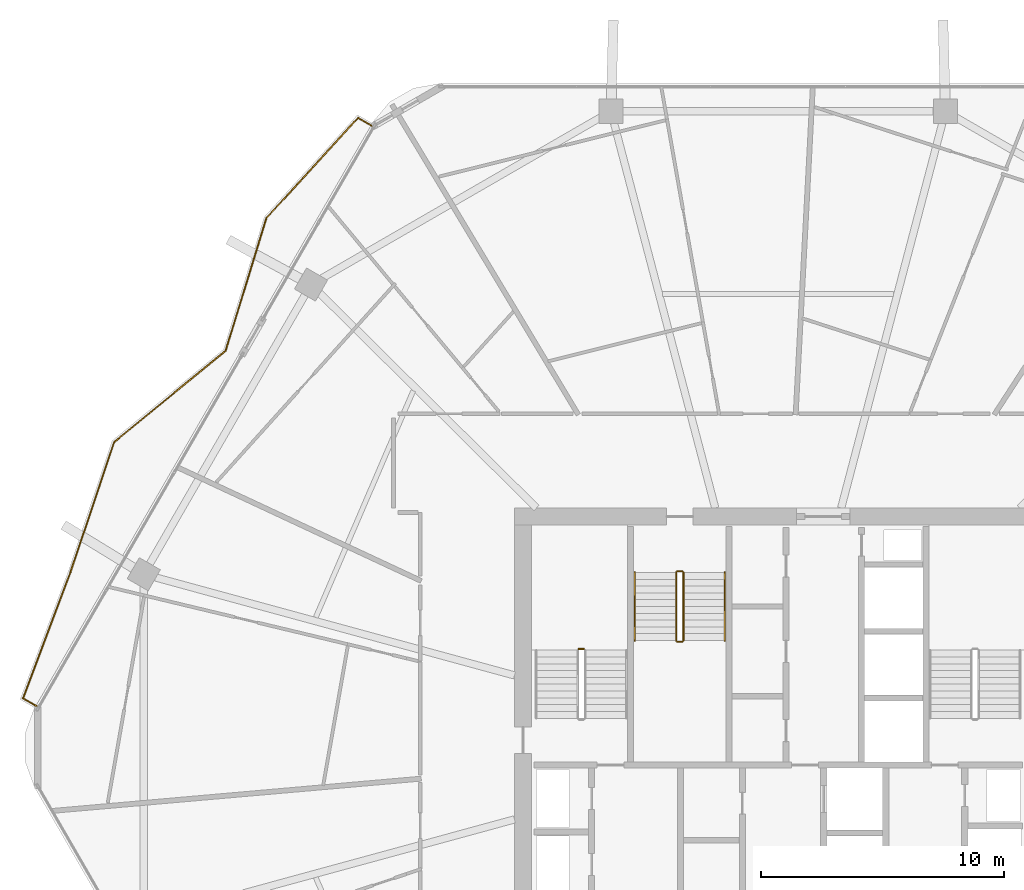
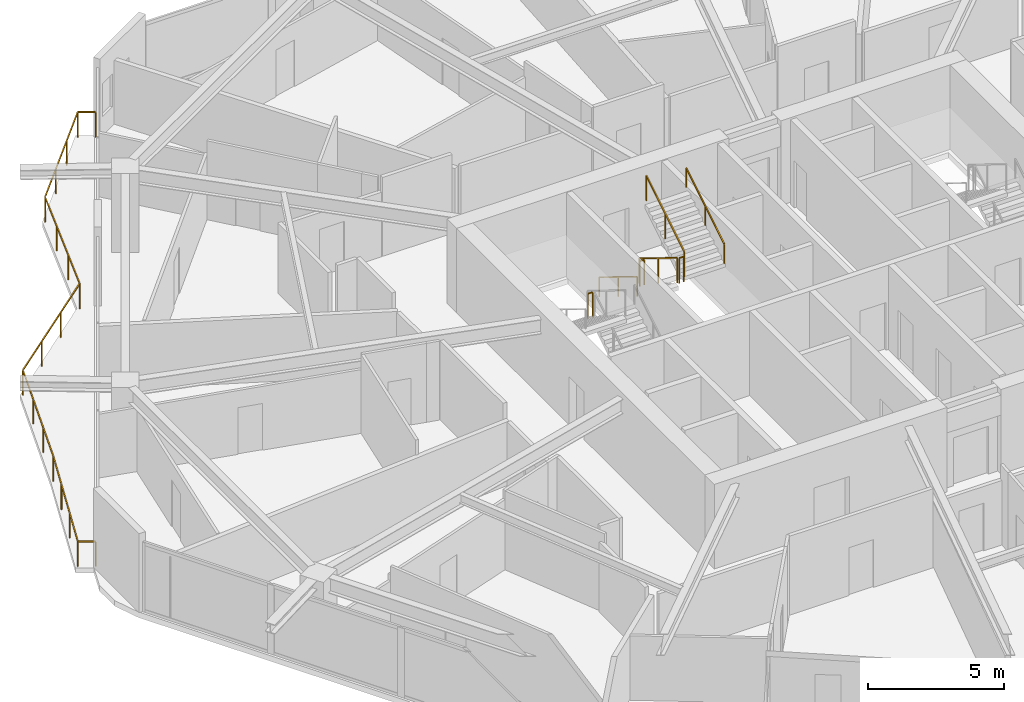
# One storey, part 25 of 26: 8 railings.
"""IFC4 building model written with IfcOpenShell, lengths in metres."""

import ifcopenshell
import ifcopenshell.guid

model = None  # the IFC model being written
_history = None  # IfcOwnerHistory: only IFC2X3 demands one
_inside = {}  # id of a spatial element -> (the spatial element, [elements in it])
_under = {}  # id of a project, library or spatial element -> (it, [spatial elements below it])
_declared = {}  # id of a project -> (the project, [libraries it declares])
_typed = {}  # id of a type object -> (the type object, [elements of that type])
_made_of = {}  # id of a material, layer set ... -> (it, [elements and type objects made of it])


def new_model(schema):
    """Start an empty IFC model of exactly this schema.

    Asked for "IFC4X3", IfcOpenShell would pick the latest addendum, in which some entities
    have other attributes; the version numbers below select the first issue.
    IFC2X3 requires an IfcOwnerHistory on every rooted entity: one is made here for all.
    """
    global model, _history
    if schema == "IFC4X3":
        model = ifcopenshell.file(schema_version=(4, 3, 0, 0))
    else:
        model = ifcopenshell.file(schema=schema)
    _inside.clear()
    _under.clear()
    _declared.clear()
    _typed.clear()
    _made_of.clear()
    _history = None
    if model.schema == "IFC2X3":
        org = make("IfcOrganization", Name="unknown")
        user = make(
            "IfcPersonAndOrganization",
            ThePerson=make("IfcPerson", FamilyName="unknown"),
            TheOrganization=org,
        )
        app = make(
            "IfcApplication",
            ApplicationDeveloper=org,
            Version="unknown",
            ApplicationFullName="unknown",
            ApplicationIdentifier="unknown",
        )
        _history = make(
            "IfcOwnerHistory",
            OwningUser=user,
            OwningApplication=app,
            ChangeAction="ADDED",
            CreationDate=0,
        )
    return model


def make(cls, **values):
    """One entity of the class cls with the attributes given. An attribute that is None is left unset."""
    return model.create_entity(
        cls, **{name: value for name, value in values.items() if value is not None}
    )


def rooted(cls, **values):
    """An entity with a GlobalId (a new one), such as an element, a storey or a relation."""
    return make(cls, GlobalId=ifcopenshell.guid.new(), OwnerHistory=_history, **values)


def si_unit(unit_type, name, prefix=None):
    """IfcSIUnit, for example si_unit("LENGTHUNIT", "METRE", prefix="MILLI")."""
    return make("IfcSIUnit", UnitType=unit_type, Prefix=prefix, Name=name)


def assignment(units):
    """IfcUnitAssignment: the units of a project."""
    return None if units is None else make("IfcUnitAssignment", Units=units)


def point(xyz):
    """IfcCartesianPoint."""
    return None if xyz is None else make("IfcCartesianPoint", Coordinates=xyz)


def direction(xyz):
    """IfcDirection."""
    return None if xyz is None else make("IfcDirection", DirectionRatios=xyz)


def frame(location, z_axis=None, x_axis=None):
    """IfcAxis2Placement3D, a coordinate frame: its origin and axes. An axis left out is left unset."""
    return make(
        "IfcAxis2Placement3D",
        Location=point(location),
        Axis=direction(z_axis),
        RefDirection=direction(x_axis),
    )


def frame_2d(location, x_axis=None):
    """IfcAxis2Placement2D, a coordinate frame in the plane: its origin and x axis."""
    return make(
        "IfcAxis2Placement2D", Location=point(location), RefDirection=direction(x_axis)
    )


def origin():
    """The frame at (0, 0, 0) with its axes left unset."""
    return frame((0.0, 0.0, 0.0))


def origin_2d():
    """The frame at (0, 0) in the plane with its x axis left unset."""
    return frame_2d((0.0, 0.0))


def place(relative_to, where):
    """IfcLocalPlacement: puts the frame where relative to a parent placement (None: the world)."""
    return make(
        "IfcLocalPlacement", PlacementRelTo=relative_to, RelativePlacement=where
    )


def context(
    kind, dimensions, precision=None, world=None, true_north=None, identifier=None
):
    """IfcGeometricRepresentationContext, for example the 3D "Model" context."""
    return make(
        "IfcGeometricRepresentationContext",
        ContextIdentifier=identifier,
        ContextType=kind,
        CoordinateSpaceDimension=dimensions,
        Precision=precision,
        WorldCoordinateSystem=world,
        TrueNorth=true_north,
    )


def subcontext(parent, identifier, kind, view, scale=None):
    """IfcGeometricRepresentationSubContext, for example "Body" below "Model"."""
    return make(
        "IfcGeometricRepresentationSubContext",
        ContextIdentifier=identifier,
        ContextType=kind,
        ParentContext=parent,
        TargetScale=scale,
        TargetView=view,
    )


def project(units=None, contexts=None):
    """IfcProject with its units and contexts."""
    return rooted(
        "IfcProject",
        Name="project",
        RepresentationContexts=contexts,
        UnitsInContext=assignment(units),
    )


def spatial(cls, under=None, at=None, **own):
    """A site, building, storey or space (cls), placed at a placement, below another one or the project."""
    s = rooted(cls, ObjectPlacement=at, **own)
    if under is not None:
        _under.setdefault(under.id(), (under, []))[1].append(s)
    return s


def profile(cls, at=None, kind="AREA", **sizes):
    """A parametric profile (cls). Its sizes go by their IFC names, for example OverallWidth=200.0."""
    return make(cls, ProfileType=kind, Position=at, **sizes)


def rectangle(**sizes):
    """IfcRectangleProfileDef."""
    return profile("IfcRectangleProfileDef", **sizes)


def extrude(swept, where, along, depth):
    """IfcExtrudedAreaSolid: the profile swept, set in the frame where, extruded along a direction by depth."""
    return make(
        "IfcExtrudedAreaSolid",
        SweptArea=swept,
        Position=where,
        ExtrudedDirection=direction(along),
        Depth=depth,
    )


def shape(context_of_items, identifier, shape_type, items):
    """IfcShapeRepresentation: the items that make up one representation, for example the "Body"."""
    return make(
        "IfcShapeRepresentation",
        ContextOfItems=context_of_items,
        RepresentationIdentifier=identifier,
        RepresentationType=shape_type,
        Items=items,
    )


def material(Name=None, Category=None):
    """IfcMaterial."""
    return make("IfcMaterial", Name=Name, Category=Category)


def made_of(thing, what):
    """Note that an element or type object is made of a material, layer set ...; save() writes the relation."""
    if what is not None:
        _made_of.setdefault(what.id(), (what, []))[1].append(thing)
    return thing


def type_object(cls, material=None, **own):
    """A type object (cls), such as IfcWallType, which elements share."""
    return made_of(rooted(cls, **own), material)


def element(
    cls,
    number,
    at=None,
    inside=None,
    cuts=None,
    type_object=None,
    material=None,
    context=None,
    identifier="Body",
    shape_type=None,
    held_by="IfcProductDefinitionShape",
    body=None,
    shapes=None,
    **own,
):
    """One element of the class cls, such as IfcWall. Its Tag is "e" and its number.

    at: its placement. inside: the storey or other place that contains it. cuts: it is an
    opening in that element (IfcRelVoidsElement). A single representation is given by context,
    identifier, shape_type and body (its items); several are given by shapes. held_by: the class
    of the entity that holds the representations. save() writes the other relations.
    """
    e = rooted(cls, Tag="e%d" % number, ObjectPlacement=at, **own)
    if body is not None:
        shapes = [shape(context, identifier, shape_type, body)]
    if shapes is not None:
        e.Representation = make(held_by, Representations=shapes)
    if inside is not None:
        _inside.setdefault(inside.id(), (inside, []))[1].append(e)
    if cuts is not None:
        rooted(
            "IfcRelVoidsElement", RelatingBuildingElement=cuts, RelatedOpeningElement=e
        )
    if type_object is not None:
        _typed.setdefault(type_object.id(), (type_object, []))[1].append(e)
    return made_of(e, material)


def aggregate(whole, parts):
    """IfcRelAggregates: a whole, such as a stair, and the parts it consists of."""
    return rooted("IfcRelAggregates", RelatingObject=whole, RelatedObjects=parts)


def save(model, path):
    """Write the relations noted so far, then the file.

    IfcRelAggregates (storeys below a building ...), IfcRelContainedInSpatialStructure (elements
    in a storey), IfcRelDefinesByType, IfcRelAssociatesMaterial and IfcRelDeclares: one each for
    every whole, place, type object, material and project.
    """
    for whole, parts in _under.values():
        aggregate(whole, parts)
    for where, things in _inside.values():
        rooted(
            "IfcRelContainedInSpatialStructure",
            RelatedElements=things,
            RelatingStructure=where,
        )
    for kind, things in _typed.values():
        rooted("IfcRelDefinesByType", RelatedObjects=things, RelatingType=kind)
    for what, things in _made_of.values():
        rooted("IfcRelAssociatesMaterial", RelatedObjects=things, RelatingMaterial=what)
    for by, libraries in _declared.values():
        rooted("IfcRelDeclares", RelatingContext=by, RelatedDefinitions=libraries)
    model.write(path)


model = new_model("IFC4")

# Units and contexts
model_context = context("Model", 3, precision=1e-05, world=origin(), true_north=direction((0.0, 1.0)))
body_context = subcontext(model_context, "Body", "Model", "MODEL_VIEW")
ifc_project = project(units=[si_unit("LENGTHUNIT", "METRE"), si_unit("AREAUNIT", "SQUARE_METRE"), si_unit("VOLUMEUNIT", "CUBIC_METRE"), si_unit("PLANEANGLEUNIT", "RADIAN"), si_unit("MASSUNIT", "GRAM", prefix="KILO")], contexts=[model_context])

# Site, building, storey
site_placement = place(None, origin())
site = spatial("IfcSite", under=ifc_project, at=site_placement, CompositionType="ELEMENT")
building_placement = place(site_placement, origin())
building = spatial("IfcBuilding", under=site, at=building_placement, Name="Zuhravey Tower", CompositionType="ELEMENT")
storey_placement = place(building_placement, frame((0.0, 0.0, 165.60009765625)))
storey = spatial("IfcBuildingStorey", under=building, at=storey_placement, Name="L41", CompositionType="ELEMENT", Elevation=165.60009765625)

# Railings
ifc_material_1 = material(Name="Stainless steel 316 and laminated glass", Category="steel")
railing_type_1 = type_object("IfcRailingType", Name="Balcony & Terrace Guardrail 1150", PredefinedType="BALUSTRADE", material=ifc_material_1)
railing_1_placement = place(storey_placement, frame((5.489990234375, 33.691650390625, 0.0)))
element("IfcRailing", 1, at=railing_1_placement, inside=storey, type_object=railing_type_1, Name="L41 Face 3 Wave Balcony Guardrail GR1", PredefinedType="BALUSTRADE", context=body_context, shape_type="SweptSolid", body=[
    extrude(rectangle(XDim=0.048095703125, YDim=0.048095703125, at=origin_2d()), frame((-0.001708984375, 0.0009765625, 1.1259765625), z_axis=(-0.865893776595, 0.500227915708, 0.0), x_axis=(-0.500227915708, -0.865893776595, 0.0)), (0.0, 0.0, 1.0), 0.65087890625),
    extrude(rectangle(XDim=0.048095703125, YDim=0.048095703125, at=origin_2d()), frame((-0.56640625, 0.32958984375, 1.1259765625), z_axis=(0.352405938532, 0.935847238863, 0.0), x_axis=(-0.935847238863, 0.352405938532, 0.0)), (0.0, 0.0, 1.0), 5.543701171875),
    extrude(rectangle(XDim=0.048095703125, YDim=0.048095703125, at=origin_2d()), frame((1.388671875, 5.521484375, 1.1259765625), z_axis=(0.318044583369, 0.948075758043, 0.0), x_axis=(-0.948075758043, 0.318044583369, 0.0)), (0.0, 0.0, 1.0), 5.63818359375),
    extrude(rectangle(XDim=0.048095703125, YDim=0.048095703125, at=origin_2d()), frame((3.183837890625, 10.869873046875, 1.1259765625), z_axis=(0.773058894942, 0.634334253333, 0.0), x_axis=(-0.634334253333, 0.773058894942, 0.0)), (0.0, 0.0, 1.0), 5.933837890625),
    extrude(rectangle(XDim=0.048095703125, YDim=0.048095703125, at=origin_2d()), frame((7.773193359375, 14.63720703125, 1.1259765625), z_axis=(0.293800304262, 0.955866821903, 0.0), x_axis=(-0.955866821903, 0.293800304262, 0.0)), (0.0, 0.0, 1.0), 5.703857421875),
    extrude(rectangle(XDim=0.048095703125, YDim=0.048095703125, at=origin_2d()), frame((9.451171875, 20.0927734375, 1.1259765625), z_axis=(0.674712748548, 0.738080420379, 0.0), x_axis=(-0.738080420379, 0.674712748548, 0.0)), (0.0, 0.0, 1.0), 5.58251953125),
    extrude(rectangle(XDim=0.048095703125, YDim=0.048095703125, at=origin_2d()), frame((13.220703125, 24.213623046875, 1.1259765625), z_axis=(0.865932775861, -0.500160401961, 0.0), x_axis=(0.500160401961, 0.865932775861, 0.0)), (0.0, 0.0, 1.0), 0.655517578125),
    extrude(rectangle(XDim=0.0419921875, YDim=0.0419921875, at=origin_2d()), origin(), (0.0, 0.0, 1.0), 1.099853515625),
    extrude(rectangle(XDim=0.0419921875, YDim=0.0419921875, at=origin_2d()), frame((-0.567138671875, 0.32763671875, 0.0)), (0.0, 0.0, 1.0), 1.099853515625),
    extrude(rectangle(XDim=0.0419921875, YDim=0.0419921875, at=origin_2d()), frame((0.08447265625, 2.058349609375, 0.0)), (0.0, 0.0, 1.0), 1.099853515625),
    extrude(rectangle(XDim=0.0419921875, YDim=0.0419921875, at=origin_2d()), frame((0.736328125, 3.788818359375, 0.0)), (0.0, 0.0, 1.0), 1.099853515625),
    extrude(rectangle(XDim=0.0419921875, YDim=0.0419921875, at=origin_2d()), frame((1.387939453125, 5.51953125, 0.0)), (0.0, 0.0, 1.0), 1.099853515625),
    extrude(rectangle(XDim=0.0419921875, YDim=0.0419921875, at=origin_2d()), frame((1.986083984375, 7.302490234375, 0.0)), (0.0, 0.0, 1.0), 1.099853515625),
    extrude(rectangle(XDim=0.0419921875, YDim=0.0419921875, at=origin_2d()), frame((2.584228515625, 9.085693359375, 0.0)), (0.0, 0.0, 1.0), 1.099853515625),
    extrude(rectangle(XDim=0.0419921875, YDim=0.0419921875, at=origin_2d()), frame((3.182373046875, 10.86865234375, 0.0)), (0.0, 0.0, 1.0), 1.099853515625),
    extrude(rectangle(XDim=0.0419921875, YDim=0.0419921875, at=origin_2d()), frame((4.71240234375, 12.124267578125, 0.0)), (0.0, 0.0, 1.0), 1.099853515625),
    extrude(rectangle(XDim=0.0419921875, YDim=0.0419921875, at=origin_2d()), frame((6.24267578125, 13.379638671875, 0.0)), (0.0, 0.0, 1.0), 1.099853515625),
    extrude(rectangle(XDim=0.0419921875, YDim=0.0419921875, at=origin_2d()), frame((7.772705078125, 14.63525390625, 0.0)), (0.0, 0.0, 1.0), 1.099853515625),
    extrude(rectangle(XDim=0.0419921875, YDim=0.0419921875, at=origin_2d()), frame((8.331787109375, 16.453857421875, 0.0)), (0.0, 0.0, 1.0), 1.099853515625),
    extrude(rectangle(XDim=0.0419921875, YDim=0.0419921875, at=origin_2d()), frame((8.890625, 18.272705078125, 0.0)), (0.0, 0.0, 1.0), 1.099853515625),
    extrude(rectangle(XDim=0.0419921875, YDim=0.0419921875, at=origin_2d()), frame((9.44970703125, 20.09130859375, 0.0)), (0.0, 0.0, 1.0), 1.099853515625),
    extrude(rectangle(XDim=0.0419921875, YDim=0.0419921875, at=origin_2d()), frame((10.7060546875, 21.4658203125, 0.0)), (0.0, 0.0, 1.0), 1.099853515625),
    extrude(rectangle(XDim=0.0419921875, YDim=0.0419921875, at=origin_2d()), frame((11.962646484375, 22.840087890625, 0.0)), (0.0, 0.0, 1.0), 1.099853515625),
    extrude(rectangle(XDim=0.0419921875, YDim=0.0419921875, at=origin_2d()), frame((13.218994140625, 24.214599609375, 0.0)), (0.0, 0.0, 1.0), 1.099853515625),
    extrude(rectangle(XDim=0.0419921875, YDim=0.0419921875, at=origin_2d()), frame((13.7900390625, 23.884765625, 0.0)), (0.0, 0.0, 1.0), 1.099853515625),
])
ifc_material_2 = material(Name="Brushed stainless steel", Category="steel")
railing_type_2 = type_object("IfcRailingType", Name="Stair Wall Handrail 900", PredefinedType="HANDRAIL", material=ifc_material_2)
railing_2_placement = place(storey_placement, frame((30.10009765625, 39.199951171875, 0.172607421875)))
element("IfcRailing", 2, at=railing_2_placement, inside=storey, type_object=railing_type_2, Name="L41 ST3 stair handrail 1", PredefinedType="HANDRAIL", context=body_context, shape_type="SweptSolid", body=[
    extrude(rectangle(XDim=0.048095703125, YDim=0.048095703125, at=origin_2d()), frame((0.0, -0.001708984375, 0.876953125), z_axis=(0.0, -0.851089632645, 0.525020415988), x_axis=(1.0, 0.0, 0.0)), (0.0, 0.0, 1.0), 3.285888671875),
    extrude(rectangle(XDim=0.0419921875, YDim=0.0419921875, at=origin_2d()), origin(), (0.0, 0.0, 1.0), 0.849853515625),
    extrude(rectangle(XDim=0.0419921875, YDim=0.0419921875, at=origin_2d()), frame((0.0, -1.39990234375, 0.86376953125)), (0.0, 0.0, 1.0), 0.849853515625),
    extrude(rectangle(XDim=0.0419921875, YDim=0.0419921875, at=origin_2d()), frame((0.0, -2.800048828125, 1.727294921875)), (0.0, 0.0, 1.0), 0.849853515625),
])
railing_3_placement = place(storey_placement, frame((33.800048828125, 36.39990234375, 2.072509765625)))
element("IfcRailing", 3, at=railing_3_placement, inside=storey, type_object=railing_type_2, Name="L41 ST3 stair handrail 2", PredefinedType="HANDRAIL", context=body_context, shape_type="SweptSolid", body=[
    extrude(rectangle(XDim=0.048095703125, YDim=0.048095703125, at=origin_2d()), frame((0.0, 0.001708984375, 0.876953125), z_axis=(0.0, 0.851089632645, 0.525020415988), x_axis=(-1.0, 0.0, 0.0)), (0.0, 0.0, 1.0), 3.285888671875),
    extrude(rectangle(XDim=0.0419921875, YDim=0.0419921875, at=origin_2d()), origin(), (0.0, 0.0, 1.0), 0.849853515625),
    extrude(rectangle(XDim=0.0419921875, YDim=0.0419921875, at=origin_2d()), frame((0.0, 1.39990234375, 0.86376953125)), (0.0, 0.0, 1.0), 0.849853515625),
    extrude(rectangle(XDim=0.0419921875, YDim=0.0419921875, at=origin_2d()), frame((0.0, 2.800048828125, 1.727294921875)), (0.0, 0.0, 1.0), 0.849853515625),
])
ifc_material_3 = material(Name="Painted tubular steel", Category="steel")
railing_type_3 = type_object("IfcRailingType", Name="Stair Well Guardrail 1150", PredefinedType="GUARDRAIL", material=ifc_material_3)
railing_4_placement = place(storey_placement, frame((28.0, 36.050048828125, 1.89990234375)))
element("IfcRailing", 4, at=railing_4_placement, inside=storey, type_object=railing_type_3, Name="L41 ST1 stair guard 2", PredefinedType="GUARDRAIL", context=body_context, shape_type="SweptSolid", body=[
    extrude(rectangle(XDim=0.048095703125, YDim=0.048095703125, at=origin_2d()), frame((-0.001953125, 0.0, 1.1259765625), z_axis=(-1.0, 0.0, 0.0), x_axis=(0.0, -1.0, 0.0)), (0.0, 0.0, 1.0), 0.196044921875),
    extrude(rectangle(XDim=0.0419921875, YDim=0.0419921875, at=origin_2d()), origin(), (0.0, 0.0, 1.0), 1.099853515625),
    extrude(rectangle(XDim=0.0419921875, YDim=0.0419921875, at=origin_2d()), frame((-0.199951171875, 0.0, 0.0)), (0.0, 0.0, 1.0), 1.099853515625),
])
railing_5_placement = place(storey_placement, frame((31.800048828125, 39.199951171875, 0.172607421875)))
element("IfcRailing", 5, at=railing_5_placement, inside=storey, type_object=railing_type_3, Name="L41 ST3 stair guard 1", PredefinedType="GUARDRAIL", context=body_context, shape_type="SweptSolid", body=[
    extrude(rectangle(XDim=0.048095703125, YDim=0.048095703125, at=origin_2d()), frame((0.0, -0.001708984375, 1.126953125), z_axis=(0.0, -0.851089632645, 0.525020415988), x_axis=(1.0, 0.0, 0.0)), (0.0, 0.0, 1.0), 3.285888671875),
    extrude(rectangle(XDim=0.0419921875, YDim=0.0419921875, at=origin_2d()), origin(), (0.0, 0.0, 1.0), 1.099853515625),
    extrude(rectangle(XDim=0.0419921875, YDim=0.0419921875, at=origin_2d()), frame((0.0, -1.39990234375, 0.86376953125)), (0.0, 0.0, 1.0), 1.099853515625),
    extrude(rectangle(XDim=0.0419921875, YDim=0.0419921875, at=origin_2d()), frame((0.0, -2.800048828125, 1.727294921875)), (0.0, 0.0, 1.0), 1.099853515625),
])
railing_6_placement = place(storey_placement, frame((31.85009765625, 36.35009765625, 1.89990234375)))
element("IfcRailing", 6, at=railing_6_placement, inside=storey, type_object=railing_type_3, Name="L41 ST3 stair guard 2", PredefinedType="GUARDRAIL", context=body_context, shape_type="SweptSolid", body=[
    extrude(rectangle(XDim=0.048095703125, YDim=0.048095703125, at=origin_2d()), frame((0.001953125, 0.0, 1.1259765625), z_axis=(1.0, 0.0, 0.0), x_axis=(0.0, 1.0, 0.0)), (0.0, 0.0, 1.0), 0.196044921875),
    extrude(rectangle(XDim=0.0419921875, YDim=0.0419921875, at=origin_2d()), origin(), (0.0, 0.0, 1.0), 1.099853515625),
    extrude(rectangle(XDim=0.0419921875, YDim=0.0419921875, at=origin_2d()), frame((0.199951171875, 0.0, 0.0)), (0.0, 0.0, 1.0), 1.099853515625),
])
railing_7_placement = place(storey_placement, frame((32.10009765625, 36.39990234375, 2.072509765625)))
element("IfcRailing", 7, at=railing_7_placement, inside=storey, type_object=railing_type_3, Name="L41 ST3 stair guard 3", PredefinedType="GUARDRAIL", context=body_context, shape_type="SweptSolid", body=[
    extrude(rectangle(XDim=0.048095703125, YDim=0.048095703125, at=origin_2d()), frame((0.0, 0.001708984375, 1.126953125), z_axis=(0.0, 0.851089632645, 0.525020415988), x_axis=(-1.0, 0.0, 0.0)), (0.0, 0.0, 1.0), 3.285888671875),
    extrude(rectangle(XDim=0.0419921875, YDim=0.0419921875, at=origin_2d()), origin(), (0.0, 0.0, 1.0), 1.099853515625),
    extrude(rectangle(XDim=0.0419921875, YDim=0.0419921875, at=origin_2d()), frame((0.0, 1.39990234375, 0.86376953125)), (0.0, 0.0, 1.0), 1.099853515625),
    extrude(rectangle(XDim=0.0419921875, YDim=0.0419921875, at=origin_2d()), frame((0.0, 2.800048828125, 1.727294921875)), (0.0, 0.0, 1.0), 1.099853515625),
])
railing_8_placement = place(storey_placement, frame((31.85009765625, 39.25, 0.0)))
element("IfcRailing", 8, at=railing_8_placement, inside=storey, type_object=railing_type_3, Name="L41 ST3 stair guard 4", PredefinedType="GUARDRAIL", context=body_context, shape_type="SweptSolid", body=[
    extrude(rectangle(XDim=0.048095703125, YDim=0.048095703125, at=origin_2d()), frame((0.001953125, 0.0, 1.1259765625), z_axis=(1.0, 0.0, 0.0), x_axis=(0.0, 1.0, 0.0)), (0.0, 0.0, 1.0), 0.196044921875),
    extrude(rectangle(XDim=0.0419921875, YDim=0.0419921875, at=origin_2d()), origin(), (0.0, 0.0, 1.0), 1.099853515625),
    extrude(rectangle(XDim=0.0419921875, YDim=0.0419921875, at=origin_2d()), frame((0.199951171875, 0.0, 0.0)), (0.0, 0.0, 1.0), 1.099853515625),
])

save(model, "model.ifc")
